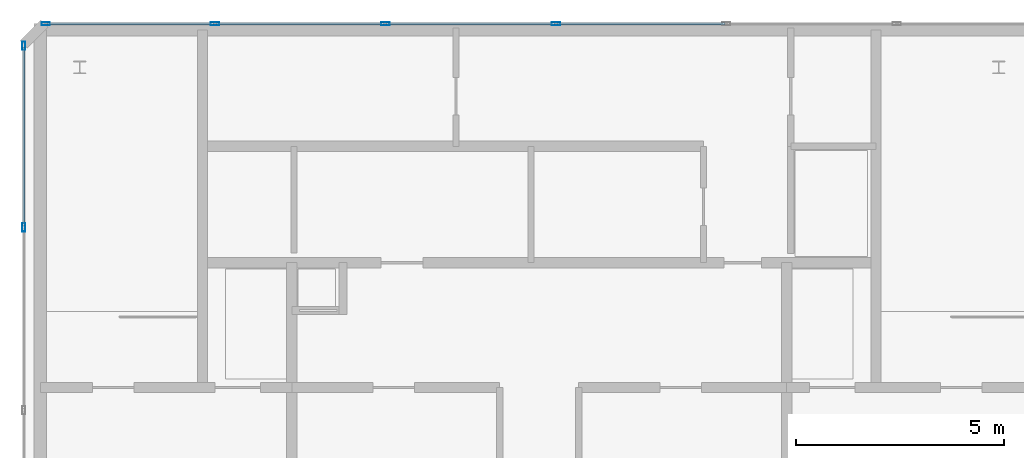
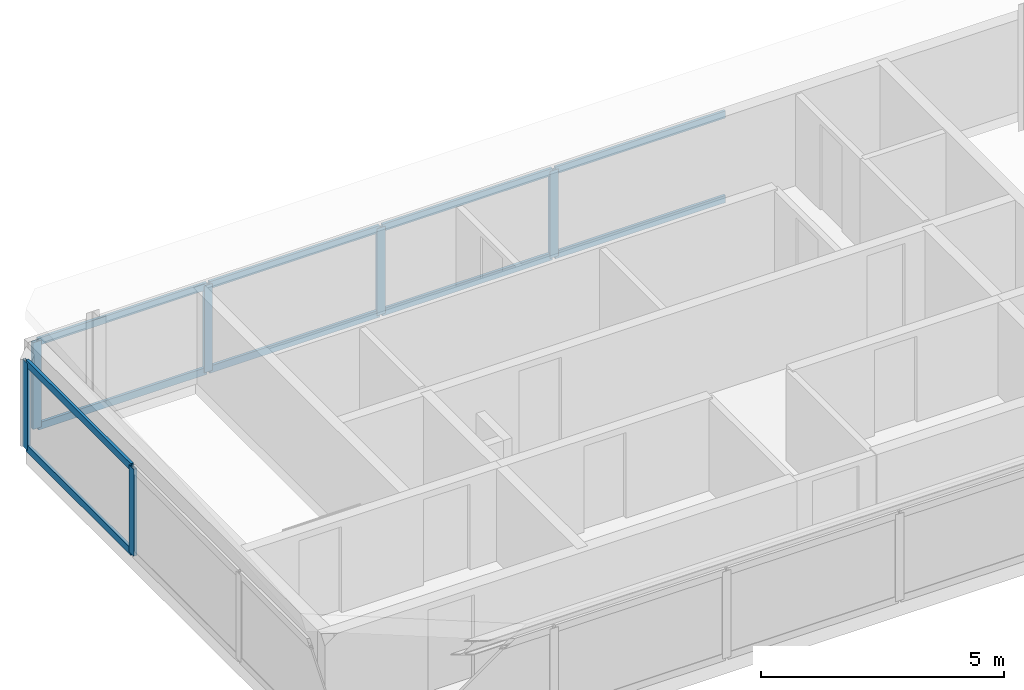
# One storey, part 5 of 9: 16 members, 2 elements without a shape of their own.
"""IFC4 building model written with IfcOpenShell, lengths in metres."""

from ifc_helpers import new_model, si_unit, direction, frame, origin, origin_2d, place, context, subcontext, project, spatial, hollow_rectangle, extrude, material, layer, layer_set, material_profile, profile_set, type_object, element, aggregate, save


model = new_model("IFC4")

# Units and contexts
model_context = context("Model", 3, precision=1e-05, world=origin(), true_north=direction((0.0, 1.0)))
body_context = subcontext(model_context, "Body", "Model", "MODEL_VIEW")
ifc_project = project(units=[si_unit("LENGTHUNIT", "METRE"), si_unit("AREAUNIT", "SQUARE_METRE"), si_unit("VOLUMEUNIT", "CUBIC_METRE"), si_unit("PLANEANGLEUNIT", "RADIAN"), si_unit("MASSUNIT", "GRAM", prefix="KILO")], contexts=[model_context])

# Site, building, storey
site_placement = place(None, origin())
site = spatial("IfcSite", under=ifc_project, at=site_placement, CompositionType="ELEMENT")
building_placement = place(site_placement, origin())
building = spatial("IfcBuilding", under=site, at=building_placement, Name="Catumbela Crestline Tower", CompositionType="ELEMENT")
storey_placement = place(building_placement, frame((0.0, 0.0, 318.5)))
storey = spatial("IfcBuildingStorey", under=building, at=storey_placement, Name="L82", CompositionType="ELEMENT", Elevation=318.5)

# Curtain wall, members
ifc_material = material(Name="Aluminium alloy AW-6060-T66", Category="aluminium")
ifc_layer = layer(ifc_material, 0.18, Name="Aluminium alloy AW-6060-T66")
ifc_layer_set = layer_set([ifc_layer], Name="Aluminium alloy AW-6060-T66")
curtain_wall_type = type_object("IfcCurtainWallType", Name="CWS-OBS", PredefinedType="USERDEFINED", material=ifc_layer_set)
curtain_wall_1_placement = place(storey_placement, origin())
curtain_wall_1 = element("IfcCurtainWall", 1, at=curtain_wall_1_placement, inside=storey, type_object=curtain_wall_type, Name="L82 Stick Curtain Wall CW-L82-E4S1", ObjectType="STICK", PredefinedType="USERDEFINED")
ifc_material_profile_1 = material_profile(ifc_material, hollow_rectangle(XDim=0.075, YDim=0.2, WallThickness=0.005, at=origin_2d()), Name="ALU 200x75x5")
ifc_profile_set_1 = profile_set([ifc_material_profile_1], Name="Aluminium alloy AW-6060-T66")
member_type_1 = type_object("IfcMemberType", Name="MUL-200X75", PredefinedType="MULLION", material=ifc_profile_set_1)
member_1_placement = place(storey_placement, frame((28.4, 43.0, 0.0), z_axis=(0.0, 0.0, 1.0), x_axis=(0.0, -1.0, 0.0)))
member_1 = element("IfcMember", 2, at=member_1_placement, type_object=member_type_1, Name="CWS-OBS mullion 4", PredefinedType="MULLION", context=body_context, shape_type="SweptSolid", body=[
    extrude(hollow_rectangle(XDim=0.075, YDim=0.2, WallThickness=0.005, at=origin_2d()), origin(), (0.0, 0.0, 1.0), 2.18),
])
member_2_placement = place(storey_placement, frame((24.3, 43.0, 0.0), z_axis=(0.0, 0.0, 1.0), x_axis=(0.0, -1.0, 0.0)))
member_2 = element("IfcMember", 3, at=member_2_placement, type_object=member_type_1, Name="CWS-OBS mullion 5", PredefinedType="MULLION", context=body_context, shape_type="SweptSolid", body=[
    extrude(hollow_rectangle(XDim=0.075, YDim=0.2, WallThickness=0.005, at=origin_2d()), origin(), (0.0, 0.0, 1.0), 2.18),
])
member_3_placement = place(storey_placement, frame((20.2, 43.0, 0.0), z_axis=(0.0, 0.0, 1.0), x_axis=(0.0, -1.0, 0.0)))
member_3 = element("IfcMember", 4, at=member_3_placement, type_object=member_type_1, Name="CWS-OBS mullion 6", PredefinedType="MULLION", context=body_context, shape_type="SweptSolid", body=[
    extrude(hollow_rectangle(XDim=0.075, YDim=0.2, WallThickness=0.005, at=origin_2d()), origin(), (0.0, 0.0, 1.0), 2.18),
])
member_4_placement = place(storey_placement, frame((16.1325, 43.0, 0.0), z_axis=(0.0, 0.0, 1.0), x_axis=(0.0, -1.0, 0.0)))
member_4 = element("IfcMember", 5, at=member_4_placement, type_object=member_type_1, Name="CWS-OBS mullion 7", PredefinedType="MULLION", context=body_context, shape_type="SweptSolid", body=[
    extrude(hollow_rectangle(XDim=0.075, YDim=0.2, WallThickness=0.005, at=origin_2d()), origin(), (0.0, 0.0, 1.0), 2.18),
])

curtain_wall_2_placement = place(storey_placement, origin())
curtain_wall_2 = element("IfcCurtainWall", 6, at=curtain_wall_2_placement, inside=storey, type_object=curtain_wall_type, Name="L82 Stick Curtain Wall CW-L82-E6S1", ObjectType="STICK", PredefinedType="USERDEFINED")
member_5_placement = place(storey_placement, frame((15.6, 42.4675, 0.0), z_axis=(0.0, 0.0, 1.0), x_axis=(1.0, 0.0, 0.0)))
member_5 = element("IfcMember", 7, at=member_5_placement, type_object=member_type_1, Name="CWS-OBS mullion 1", PredefinedType="MULLION", context=body_context, shape_type="SweptSolid", body=[
    extrude(hollow_rectangle(XDim=0.075, YDim=0.2, WallThickness=0.005, at=origin_2d()), origin(), (0.0, 0.0, 1.0), 2.18),
])
member_6_placement = place(storey_placement, frame((15.6, 38.1, 0.0), z_axis=(0.0, 0.0, 1.0), x_axis=(1.0, 0.0, 0.0)))
member_6 = element("IfcMember", 8, at=member_6_placement, type_object=member_type_1, Name="CWS-OBS mullion 2", PredefinedType="MULLION", context=body_context, shape_type="SweptSolid", body=[
    extrude(hollow_rectangle(XDim=0.075, YDim=0.2, WallThickness=0.005, at=origin_2d()), origin(), (0.0, 0.0, 1.0), 2.18),
])

# Member
ifc_material_profile_2 = material_profile(ifc_material, hollow_rectangle(XDim=0.065, YDim=0.18, WallThickness=0.004, at=origin_2d()), Name="ALU 180x65x4")
ifc_profile_set_2 = profile_set([ifc_material_profile_2], Name="Aluminium alloy AW-6060-T66")
member_type_2 = type_object("IfcMemberType", Name="TRN-180X65", PredefinedType="USERDEFINED", material=ifc_profile_set_2)
member_7_placement = place(storey_placement, frame((32.4675, 43.0, 0.03), z_axis=(-1.0, 0.0, 0.0), x_axis=(0.0, -1.0, 0.0)))
member_7 = element("IfcMember", 9, at=member_7_placement, type_object=member_type_2, Name="CWS-OBS transom 3.1", ObjectType="TRANSOM", PredefinedType="USERDEFINED", context=body_context, shape_type="SweptSolid", body=[
    extrude(hollow_rectangle(XDim=0.065, YDim=0.18, WallThickness=0.004, at=origin_2d()), origin(), (0.0, 0.0, 1.0), 4.035),
])

member_8_placement = place(storey_placement, frame((32.4675, 43.0, 2.15), z_axis=(-1.0, 0.0, 0.0), x_axis=(0.0, -1.0, 0.0)))
member_8 = element("IfcMember", 10, at=member_8_placement, type_object=member_type_2, Name="CWS-OBS transom 3.2", ObjectType="TRANSOM", PredefinedType="USERDEFINED", context=body_context, shape_type="SweptSolid", body=[
    extrude(hollow_rectangle(XDim=0.065, YDim=0.18, WallThickness=0.004, at=origin_2d()), origin(), (0.0, 0.0, 1.0), 4.035),
])

member_9_placement = place(storey_placement, frame((28.3675, 43.0, 0.03), z_axis=(-1.0, 0.0, 0.0), x_axis=(0.0, -1.0, 0.0)))
member_9 = element("IfcMember", 11, at=member_9_placement, type_object=member_type_2, Name="CWS-OBS transom 4.1", ObjectType="TRANSOM", PredefinedType="USERDEFINED", context=body_context, shape_type="SweptSolid", body=[
    extrude(hollow_rectangle(XDim=0.065, YDim=0.18, WallThickness=0.004, at=origin_2d()), origin(), (0.0, 0.0, 1.0), 4.035),
])

member_10_placement = place(storey_placement, frame((28.3675, 43.0, 2.15), z_axis=(-1.0, 0.0, 0.0), x_axis=(0.0, -1.0, 0.0)))
member_10 = element("IfcMember", 12, at=member_10_placement, type_object=member_type_2, Name="CWS-OBS transom 4.2", ObjectType="TRANSOM", PredefinedType="USERDEFINED", context=body_context, shape_type="SweptSolid", body=[
    extrude(hollow_rectangle(XDim=0.065, YDim=0.18, WallThickness=0.004, at=origin_2d()), origin(), (0.0, 0.0, 1.0), 4.035),
])

member_11_placement = place(storey_placement, frame((24.2675, 43.0, 0.03), z_axis=(-1.0, 0.0, 0.0), x_axis=(0.0, -1.0, 0.0)))
member_11 = element("IfcMember", 13, at=member_11_placement, type_object=member_type_2, Name="CWS-OBS transom 5.1", ObjectType="TRANSOM", PredefinedType="USERDEFINED", context=body_context, shape_type="SweptSolid", body=[
    extrude(hollow_rectangle(XDim=0.065, YDim=0.18, WallThickness=0.004, at=origin_2d()), origin(), (0.0, 0.0, 1.0), 4.035),
])

member_12_placement = place(storey_placement, frame((24.2675, 43.0, 2.15), z_axis=(-1.0, 0.0, 0.0), x_axis=(0.0, -1.0, 0.0)))
member_12 = element("IfcMember", 14, at=member_12_placement, type_object=member_type_2, Name="CWS-OBS transom 5.2", ObjectType="TRANSOM", PredefinedType="USERDEFINED", context=body_context, shape_type="SweptSolid", body=[
    extrude(hollow_rectangle(XDim=0.065, YDim=0.18, WallThickness=0.004, at=origin_2d()), origin(), (0.0, 0.0, 1.0), 4.035),
])

member_13_placement = place(storey_placement, frame((20.1675, 43.0, 0.03), z_axis=(-1.0, 0.0, 0.0), x_axis=(0.0, -1.0, 0.0)))
member_13 = element("IfcMember", 15, at=member_13_placement, type_object=member_type_2, Name="CWS-OBS transom 6.1", ObjectType="TRANSOM", PredefinedType="USERDEFINED", context=body_context, shape_type="SweptSolid", body=[
    extrude(hollow_rectangle(XDim=0.065, YDim=0.18, WallThickness=0.004, at=origin_2d()), origin(), (0.0, 0.0, 1.0), 4.0025),
])

member_14_placement = place(storey_placement, frame((20.1675, 43.0, 2.15), z_axis=(-1.0, 0.0, 0.0), x_axis=(0.0, -1.0, 0.0)))
member_14 = element("IfcMember", 16, at=member_14_placement, type_object=member_type_2, Name="CWS-OBS transom 6.2", ObjectType="TRANSOM", PredefinedType="USERDEFINED", context=body_context, shape_type="SweptSolid", body=[
    extrude(hollow_rectangle(XDim=0.065, YDim=0.18, WallThickness=0.004, at=origin_2d()), origin(), (0.0, 0.0, 1.0), 4.0025),
])

aggregate(curtain_wall_1, [member_1, member_2, member_3, member_4, member_7, member_8, member_9, member_10, member_11, member_12, member_13, member_14])

member_15_placement = place(storey_placement, frame((15.6, 42.435, 0.03), z_axis=(0.0, -1.0, 0.0), x_axis=(1.0, 0.0, 0.0)))
member_15 = element("IfcMember", 17, at=member_15_placement, type_object=member_type_2, Name="CWS-OBS transom 1.1", ObjectType="TRANSOM", PredefinedType="USERDEFINED", context=body_context, shape_type="SweptSolid", body=[
    extrude(hollow_rectangle(XDim=0.065, YDim=0.18, WallThickness=0.004, at=origin_2d()), origin(), (0.0, 0.0, 1.0), 4.3025),
])

member_16_placement = place(storey_placement, frame((15.6, 42.435, 2.15), z_axis=(0.0, -1.0, 0.0), x_axis=(1.0, 0.0, 0.0)))
member_16 = element("IfcMember", 18, at=member_16_placement, type_object=member_type_2, Name="CWS-OBS transom 1.2", ObjectType="TRANSOM", PredefinedType="USERDEFINED", context=body_context, shape_type="SweptSolid", body=[
    extrude(hollow_rectangle(XDim=0.065, YDim=0.18, WallThickness=0.004, at=origin_2d()), origin(), (0.0, 0.0, 1.0), 4.3025),
])

aggregate(curtain_wall_2, [member_5, member_6, member_15, member_16])

save(model, "model.ifc")
